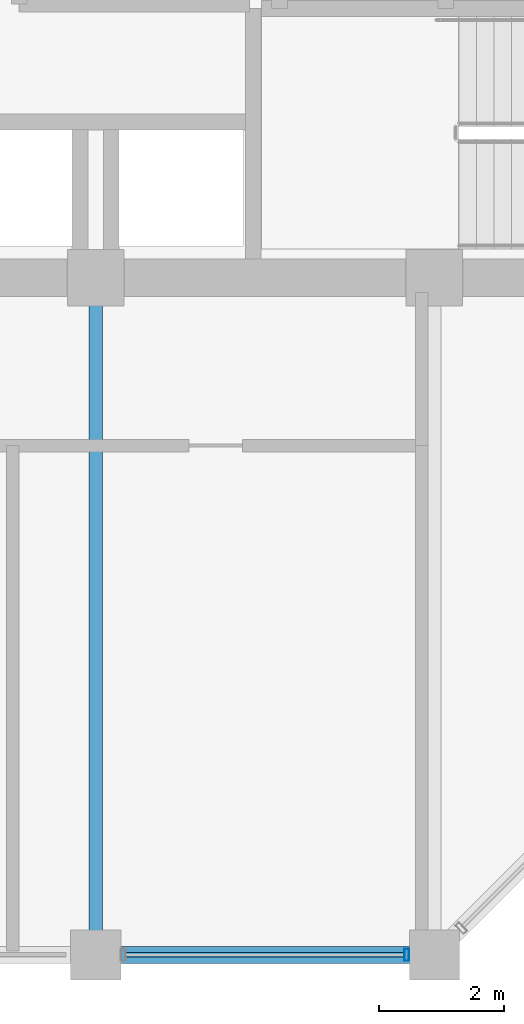
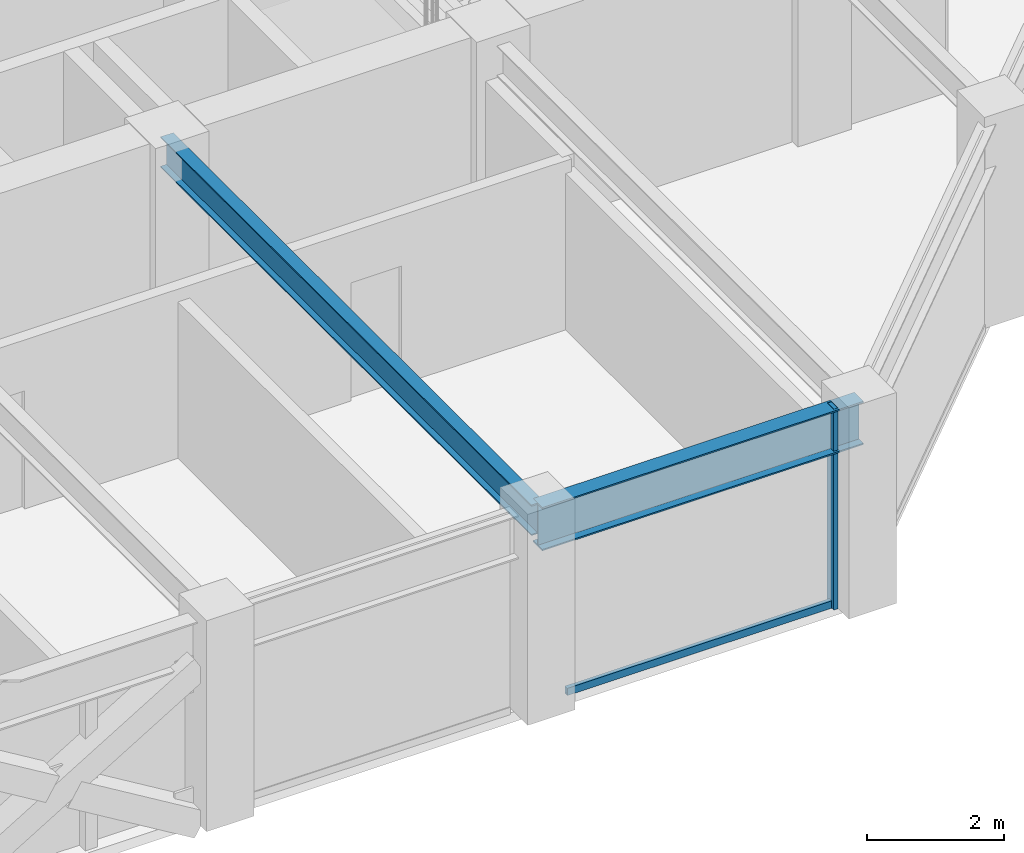
# One storey, part 7 of 32: 2 beams, 2 members, 1 element without a shape of its own.
"""IFC4 building model written with IfcOpenShell, lengths in metres."""

from ifc_helpers import new_model, si_unit, direction, frame, origin, origin_2d, place, context, subcontext, project, spatial, hollow_rectangle, i_section, extrude, material, layer, layer_set, material_profile, profile_set, type_object, element, aggregate, save


model = new_model("IFC4")

# Units and contexts
model_context = context("Model", 3, precision=1e-05, world=origin(), true_north=direction((0.0, 1.0)))
body_context = subcontext(model_context, "Body", "Model", "MODEL_VIEW")
ifc_project = project(units=[si_unit("LENGTHUNIT", "METRE"), si_unit("AREAUNIT", "SQUARE_METRE"), si_unit("VOLUMEUNIT", "CUBIC_METRE"), si_unit("PLANEANGLEUNIT", "RADIAN"), si_unit("MASSUNIT", "GRAM", prefix="KILO")], contexts=[model_context])

# Site, building, storey
site_placement = place(None, origin())
site = spatial("IfcSite", under=ifc_project, at=site_placement, CompositionType="ELEMENT")
building_placement = place(site_placement, origin())
building = spatial("IfcBuilding", under=site, at=building_placement, Name="Surkhivell Harbour Commons", CompositionType="ELEMENT")
storey_placement = place(building_placement, frame((0.0, 0.0, 223.5)))
storey = spatial("IfcBuildingStorey", under=building, at=storey_placement, Name="L58", CompositionType="ELEMENT", Elevation=223.5)

# Beams
ifc_material_1 = material(Name="Steel S355", Category="steel")
ifc_material_profile_1 = material_profile(ifc_material_1, i_section(OverallWidth=0.2119140625, OverallDepth=0.5439453125, WebThickness=0.0126953125, FlangeThickness=0.021240234375, at=origin_2d()), Name="UB533x210x122")
ifc_profile_set_1 = profile_set([ifc_material_profile_1], Name="Steel S355")
beam_type_1 = type_object("IfcBeamType", Name="BM-GRD-533A", PredefinedType="BEAM", material=ifc_profile_set_1)
beam_1_placement = place(storey_placement, frame((0.0, -21.60009765625, 3.298095703125), z_axis=(0.0, 1.0, 0.0), x_axis=(-1.0, 0.0, 0.0)))
element("IfcBeam", 1, at=beam_1_placement, inside=storey, type_object=beam_type_1, Name="L58 Floor Girder (0.0,-21.6)", PredefinedType="BEAM", context=body_context, shape_type="SweptSolid", body=[
    extrude(i_section(OverallWidth=0.2119140625, OverallDepth=0.5439453125, WebThickness=0.0126953125, FlangeThickness=0.021240234375, at=origin_2d()), origin(), (0.0, 0.0, 1.0), 10.800048828125),
])
ifc_material_profile_2 = material_profile(ifc_material_1, i_section(OverallWidth=0.26806640625, OverallDepth=0.77001953125, WebThickness=0.015625, FlangeThickness=0.025390625, at=origin_2d()), Name="UB762x267x197")
ifc_profile_set_2 = profile_set([ifc_material_profile_2], Name="Steel S355")
beam_type_2 = type_object("IfcBeamType", Name="BM-SPN-762", PredefinedType="SPANDREL", material=ifc_profile_set_2)
beam_2_placement = place(storey_placement, frame((0.0, -21.60009765625, 3.18505859375), z_axis=(1.0, 0.0, 0.0), x_axis=(0.0, 1.0, 0.0)))
element("IfcBeam", 2, at=beam_2_placement, inside=storey, type_object=beam_type_2, Name="L58 Tube Spandrel (-0.0,-21.6)", PredefinedType="SPANDREL", context=body_context, shape_type="SweptSolid", body=[
    extrude(i_section(OverallWidth=0.26806640625, OverallDepth=0.77001953125, WebThickness=0.015625, FlangeThickness=0.025390625, at=origin_2d()), origin(), (0.0, 0.0, 1.0), 5.39990234375),
])

# Curtain wall, members
ifc_material_2 = material(Name="Anodised pale-metal aluminium and insulated glazing", Category="aluminium")
ifc_layer = layer(ifc_material_2, 0.18994140625)
ifc_layer_set = layer_set([ifc_layer], Name="Anodised pale-metal aluminium and insulated glazing")
curtain_wall_type = type_object("IfcCurtainWallType", Name="CW-SYS-Z3", PredefinedType="NOTDEFINED", material=ifc_layer_set)
curtain_wall_placement = place(storey_placement, origin())
curtain_wall = element("IfcCurtainWall", 3, at=curtain_wall_placement, inside=storey, type_object=curtain_wall_type, Name="L58 Curtain Wall CW-L58-E00S2", PredefinedType="NOTDEFINED")
ifc_material_3 = material(Name="Anodised pale-metal aluminium alloy 6063-T6", Category="aluminium")
ifc_material_profile_3 = material_profile(ifc_material_3, hollow_rectangle(XDim=0.074951171875, YDim=0.18994140625, WallThickness=0.00390625, at=origin_2d()), Name="ALU-MULL-75x190")
ifc_profile_set_3 = profile_set([ifc_material_profile_3], Name="Anodised pale-metal aluminium alloy 6063-T6")
member_type_1 = type_object("IfcMemberType", Name="CWM-190", PredefinedType="MULLION", material=ifc_profile_set_3)
member_1_placement = place(storey_placement, frame((4.96044921875, -21.60009765625, 0.0), z_axis=(0.0, 0.0, 1.0), x_axis=(1.0, 0.0, 0.0)))
member_1 = element("IfcMember", 4, at=member_1_placement, type_object=member_type_1, Name="CW-Z3 mullion 3", PredefinedType="MULLION", context=body_context, shape_type="SweptSolid", body=[
    extrude(hollow_rectangle(XDim=0.074951171875, YDim=0.18994140625, WallThickness=0.00390625, at=origin_2d()), origin(), (0.0, 0.0, 1.0), 3.570068359375),
])
ifc_material_4 = material(Name="Champagne anodised aluminium alloy 6063-T6", Category="aluminium")
ifc_material_profile_4 = material_profile(ifc_material_4, hollow_rectangle(XDim=0.070068359375, YDim=0.1298828125, WallThickness=0.00341796875, at=origin_2d()), Name="ALU-TRAN-70x130")
ifc_profile_set_4 = profile_set([ifc_material_profile_4], Name="Champagne anodised aluminium alloy 6063-T6")
member_type_2 = type_object("IfcMemberType", Name="CWT-130", PredefinedType="USERDEFINED", material=ifc_profile_set_4)
member_2_placement = place(storey_placement, frame((0.47705078125, -21.60009765625, 0.06494140625), z_axis=(1.0, 0.0, 0.0), x_axis=(0.0, 1.0, 0.0)))
member_2 = element("IfcMember", 5, at=member_2_placement, type_object=member_type_2, Name="CW-Z3 transom 2.1", ObjectType="TRANSOM", PredefinedType="USERDEFINED", context=body_context, shape_type="SweptSolid", body=[
    extrude(hollow_rectangle(XDim=0.070068359375, YDim=0.1298828125, WallThickness=0.00341796875, at=origin_2d()), origin(), (0.0, 0.0, 1.0), 4.446044921875),
])
aggregate(curtain_wall, [member_1, member_2])

save(model, "model.ifc")
